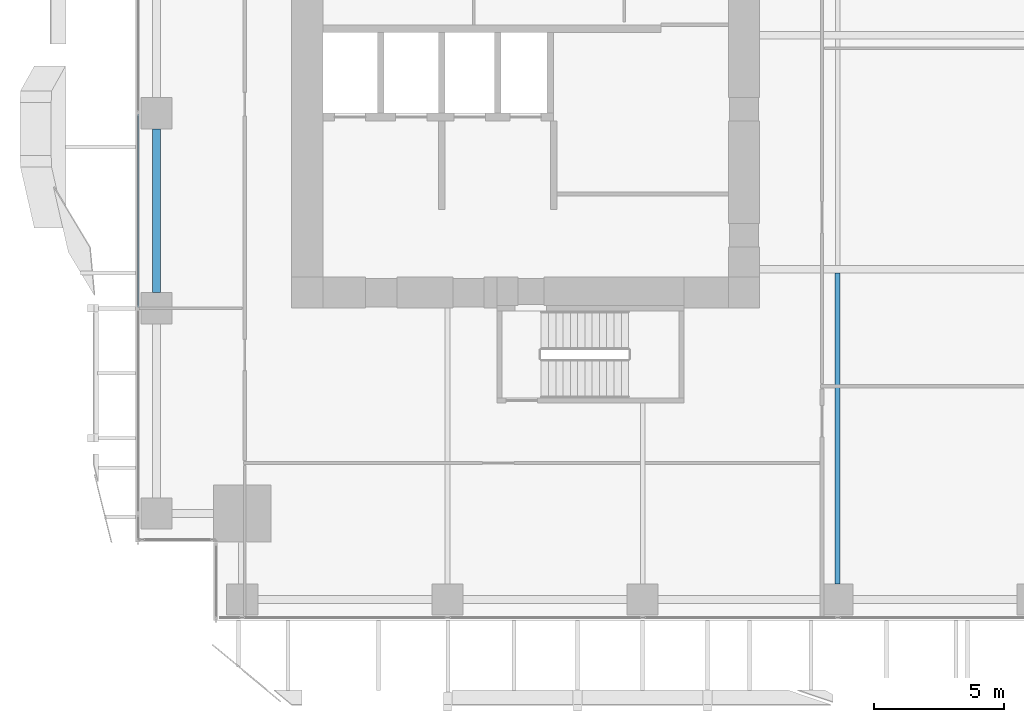
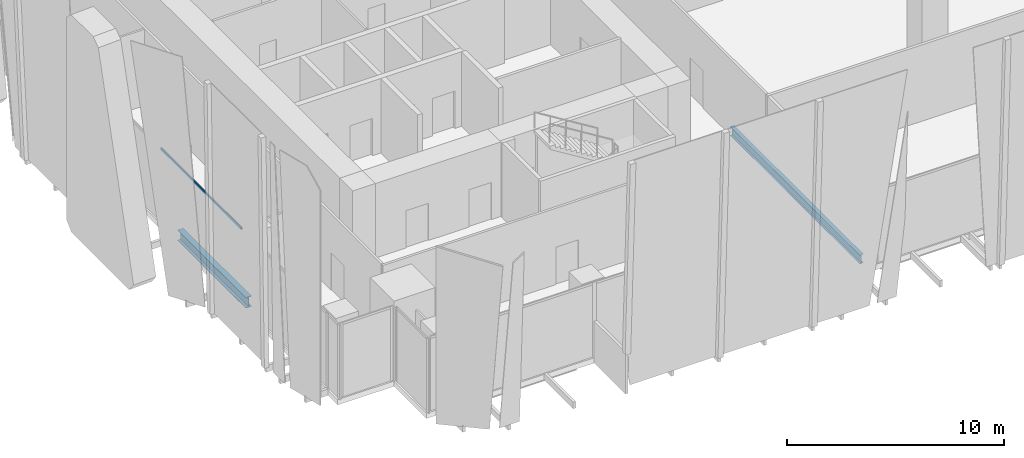
# One storey, part 4 of 34: 2 beams, 1 member, 1 element without a shape of its own.
"""IFC4 building model written with IfcOpenShell, lengths in metres."""

from ifc_helpers import new_model, si_unit, direction, frame, origin, origin_2d, place, context, subcontext, project, spatial, hollow_rectangle, i_section, extrude, source, transform, mapped, material, material_profile, profile_set, type_object, element, aggregate, save


model = new_model("IFC4")

# Units and contexts
model_context = context("Model", 3, precision=1e-05, world=origin(), true_north=direction((0.0, 1.0)))
body_context = subcontext(model_context, "Body", "Model", "MODEL_VIEW")
ifc_project = project(units=[si_unit("LENGTHUNIT", "METRE"), si_unit("AREAUNIT", "SQUARE_METRE"), si_unit("VOLUMEUNIT", "CUBIC_METRE"), si_unit("PLANEANGLEUNIT", "RADIAN"), si_unit("MASSUNIT", "GRAM", prefix="KILO")], contexts=[model_context])

# Site, building, storey
site_placement = place(None, origin())
site = spatial("IfcSite", under=ifc_project, at=site_placement, CompositionType="ELEMENT")
building_placement = place(site_placement, origin())
building = spatial("IfcBuilding", under=site, at=building_placement, Name="Khomas Fold Tower", CompositionType="ELEMENT")
storey_placement = place(building_placement, frame((0.0, 0.0, 73.5)))
storey = spatial("IfcBuildingStorey", under=building, at=storey_placement, Name="L15", CompositionType="ELEMENT", Elevation=73.5)

# Beams
ifc_material_1 = material(Name="Steel S355", Category="steel")
ifc_material_profile_1 = material_profile(ifc_material_1, i_section(OverallWidth=0.300048828125, OverallDepth=0.60009765625, WebThickness=0.015380859375, FlangeThickness=0.030029296875, at=origin_2d()), Name="HE 600 B")
ifc_profile_set_1 = profile_set([ifc_material_profile_1], Name="Steel S355")
beam_type_1 = type_object("IfcBeamType", Name="HE 600 B spandrel SB1", PredefinedType="SPANDREL", material=ifc_profile_set_1)
shared_shape_1 = source(origin(), body_context, "Body", "SweptSolid", [
    extrude(i_section(OverallWidth=0.300048828125, OverallDepth=0.60009765625, WebThickness=0.015380859375, FlangeThickness=0.030029296875, at=origin_2d()), origin(), (0.0, 0.0, 1.0), 6.2998046875),
])
beam_1_placement = place(storey_placement, frame((0.800048828125, 12.60009765625, -0.60009765625), z_axis=(0.0, 1.0, 0.0), x_axis=(-1.0, 0.0, 0.0)))
element("IfcBeam", 1, at=beam_1_placement, inside=storey, type_object=beam_type_1, Name="SB1", PredefinedType="SPANDREL", context=body_context, shape_type="MappedRepresentation", body=[
    mapped(shared_shape_1, transform((0.0, 0.0, 0.0))),
])
ifc_material_2 = material(Name="Steel S355", Category="steel")
ifc_material_profile_2 = material_profile(ifc_material_2, i_section(OverallWidth=0.199951171875, OverallDepth=0.5, WebThickness=0.01025390625, FlangeThickness=0.01611328125, at=origin_2d()), Name="IPE 500")
ifc_profile_set_2 = profile_set([ifc_material_profile_2], Name="Steel S355")
beam_type_2 = type_object("IfcBeamType", Name="IPE 500 beam JB5", PredefinedType="BEAM", material=ifc_profile_set_2)
shared_shape_2 = source(origin(), body_context, "Body", "SweptSolid", [
    extrude(i_section(OverallWidth=0.199951171875, OverallDepth=0.5, WebThickness=0.01025390625, FlangeThickness=0.01611328125, at=origin_2d()), origin(), (0.0, 0.0, 1.0), 11.9501953125),
])
beam_2_placement = place(storey_placement, frame((27.0, 1.39990234375, -0.550048828125), z_axis=(0.0, 1.0, 0.0), x_axis=(-1.0, 0.0, 0.0)))
element("IfcBeam", 2, at=beam_2_placement, inside=storey, type_object=beam_type_2, Name="JB5", PredefinedType="BEAM", context=body_context, shape_type="MappedRepresentation", body=[
    mapped(shared_shape_2, transform((0.0, 0.0, 0.0))),
])

# Curtain wall, member
ifc_material_3 = material(Name="Aluminium framed double glazing", Category="aluminium")
curtain_wall_type = type_object("IfcCurtainWallType", Name="SK-Unitised clear-glass wall, growing floors CW1", PredefinedType="NOTDEFINED", material=ifc_material_3)
curtain_wall_placement = place(storey_placement, origin())
curtain_wall = element("IfcCurtainWall", 3, at=curtain_wall_placement, inside=storey, type_object=curtain_wall_type, Name="CW1 run L15 09-0", PredefinedType="NOTDEFINED")
ifc_material_4 = material(Name="Aluminium", Category="aluminium")
ifc_material_profile_3 = material_profile(ifc_material_4, hollow_rectangle(XDim=0.06005859375, YDim=0.1201171875, WallThickness=0.00390625, at=origin_2d()), Name="SK-Unitised clear-glass wall, growing floors transom CW1-T")
ifc_profile_set_3 = profile_set([ifc_material_profile_3], Name="Aluminium")
member_type = type_object("IfcMemberType", Name="SK-Unitised clear-glass wall, growing floors transom CW1-T", PredefinedType="USERDEFINED", material=ifc_profile_set_3)
shared_shape_3 = source(origin(), body_context, "Body", "SweptSolid", [
    extrude(hollow_rectangle(XDim=0.06005859375, YDim=0.1201171875, WallThickness=0.00390625, at=origin_2d()), origin(), (0.0, 0.0, 1.0), 7.43994140625),
])
member_placement = place(storey_placement, frame((0.10009765625, 19.469970703125, 4.139892578125), z_axis=(0.0, -1.0, 0.0), x_axis=(1.0, 0.0, 0.0)))
member = element("IfcMember", 4, at=member_placement, type_object=member_type, Name="CW1 transom 6", ObjectType="TRANSOM", PredefinedType="USERDEFINED", context=body_context, shape_type="MappedRepresentation", body=[
    mapped(shared_shape_3, transform((0.0, 0.0, 0.0))),
])
aggregate(curtain_wall, [member])

save(model, "model.ifc")
